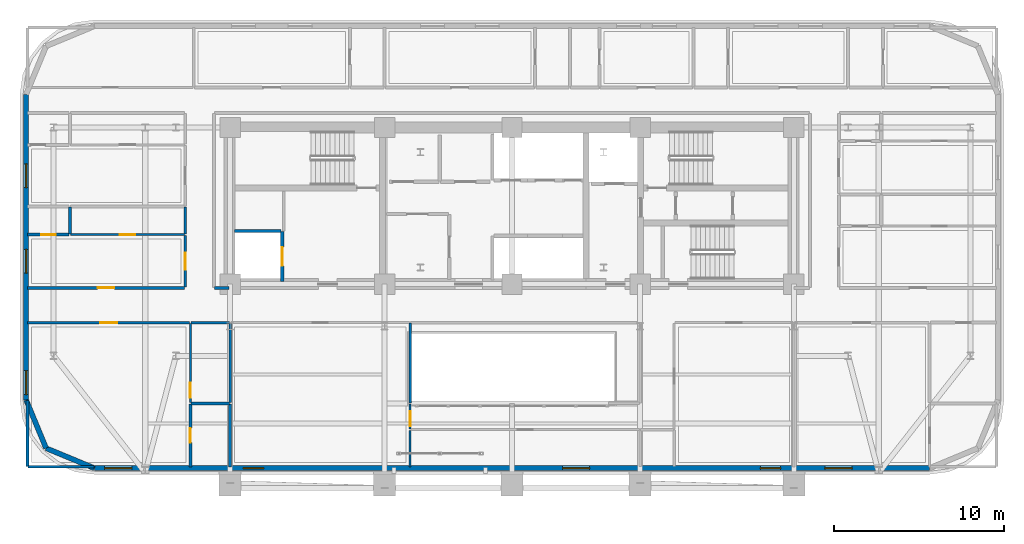
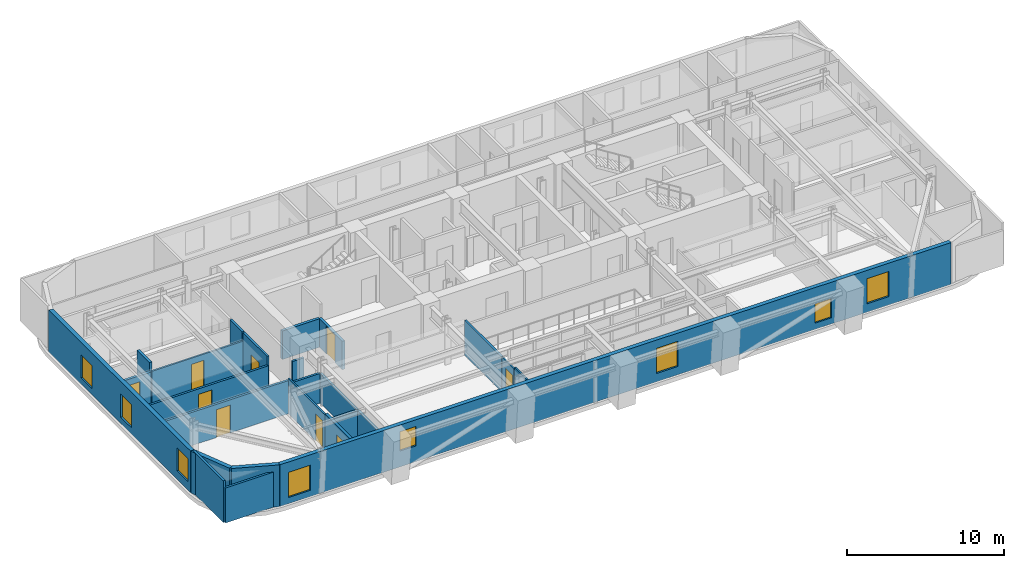
# One storey, part 8 of 15: 25 walls, 9 doors, 8 windows, 17 openings.
"""IFC4 building model written with IfcOpenShell, lengths in metres."""

from ifc_helpers import new_model, si_unit, direction, frame, frame_2d, origin, place, context, subcontext, project, spatial, rectangle, extrude, material, layer, layer_set, type_object, element, fill, save


model = new_model("IFC4")

# Units and contexts
model_context = context("Model", 3, precision=1e-05, world=origin(), true_north=direction((0.0, 1.0)))
body_context = subcontext(model_context, "Body", "Model", "MODEL_VIEW")
ifc_project = project(units=[si_unit("LENGTHUNIT", "METRE"), si_unit("AREAUNIT", "SQUARE_METRE"), si_unit("VOLUMEUNIT", "CUBIC_METRE"), si_unit("PLANEANGLEUNIT", "RADIAN"), si_unit("MASSUNIT", "GRAM", prefix="KILO")], contexts=[model_context])

# Site, building, storey
site_placement = place(None, origin())
site = spatial("IfcSite", under=ifc_project, at=site_placement, CompositionType="ELEMENT")
building_placement = place(site_placement, origin())
building = spatial("IfcBuilding", under=site, at=building_placement, Name="Zarnavel Station Tower", CompositionType="ELEMENT")
storey_placement = place(building_placement, frame((0.0, 0.0, 111.800048828125)))
storey = spatial("IfcBuildingStorey", under=building, at=storey_placement, Name="L30", CompositionType="ELEMENT", Elevation=111.800048828125)

# Wall, openings, windows
ifc_material_1 = material(Name="Precast concrete C45/55 (Dark Basalt Finish)", Category="masonry")
ifc_layer_1 = layer(ifc_material_1, 0.300048828125)
ifc_layer_set_1 = layer_set([ifc_layer_1], Name="EW_BASALT_300")
wall_type_1 = type_object("IfcWallType", Name="EW_BASALT_300", PredefinedType="SOLIDWALL", material=ifc_layer_set_1)
wall_1_placement = place(storey_placement, frame((0.179931640625, 21.0, 0.0), z_axis=(0.0, 0.0, 1.0), x_axis=(0.0, 1.0, 0.0)))
wall_1 = element("IfcWall", 1, at=wall_1_placement, inside=storey, type_object=wall_type_1, Name="L30 Exterior Basalt Masonry Frame Wall 09", PredefinedType="SOLIDWALL", context=body_context, shape_type="SweptSolid", body=[
    extrude(rectangle(XDim=18.0, YDim=0.300048828125, at=frame_2d((9.0, 0.0))), origin(), (0.0, 0.0, 1.0), 3.239990234375),
])
opening_1_placement = place(wall_1_placement, frame((7.470458984375, 0.0, 0.47998046875)))
opening_1 = element("IfcOpeningElement", 2, at=opening_1_placement, cuts=wall_1, Name="Opening WN01", PredefinedType="OPENING", context=body_context, shape_type="SweptSolid", body=[
    extrude(rectangle(XDim=1.39990234375, YDim=1.800048828125, at=frame_2d((0.699951171875, 0.89990234375))), frame((0.0, 0.159912109375, 0.0), z_axis=(0.0, -1.0, 0.0), x_axis=(1.0, 0.0, 0.0)), (0.0, 0.0, 1.0), 0.320068359375),
])
opening_2_placement = place(wall_1_placement, frame((12.509033203125, 0.0, 0.47998046875)))
opening_2 = element("IfcOpeningElement", 3, at=opening_2_placement, cuts=wall_1, Name="Opening WN01", PredefinedType="OPENING", context=body_context, shape_type="SweptSolid", body=[
    extrude(rectangle(XDim=1.39990234375, YDim=1.800048828125, at=frame_2d((0.699951171875, 0.89990234375))), frame((0.0, 0.159912109375, 0.0), z_axis=(0.0, -1.0, 0.0), x_axis=(1.0, 0.0, 0.0)), (0.0, 0.0, 1.0), 0.320068359375),
])
opening_3_placement = place(wall_1_placement, frame((0.320068359375, 0.0, 0.64990234375)))
opening_3 = element("IfcOpeningElement", 4, at=opening_3_placement, cuts=wall_1, Name="Opening WN01", PredefinedType="OPENING", context=body_context, shape_type="SweptSolid", body=[
    extrude(rectangle(XDim=1.39990234375, YDim=1.800048828125, at=frame_2d((0.699951171875, 0.89990234375))), frame((0.0, 0.159912109375, 0.0), z_axis=(0.0, -1.0, 0.0), x_axis=(1.0, 0.0, 0.0)), (0.0, 0.0, 1.0), 0.320068359375),
])
ifc_material_2 = material(Name="Thermally Broken Black Aluminium and Low-E Dark Glass", Category="aluminium")
window_type_1 = type_object("IfcWindowType", Name="WN_1400x1800", PartitioningType="DOUBLE_PANEL_VERTICAL", PredefinedType="WINDOW", material=ifc_material_2)
window_1_placement = place(opening_1_placement, origin())
window_1 = element("IfcWindow", 5, at=window_1_placement, inside=storey, type_object=window_type_1, Name="L30 Recessed Facade Window 01", OverallHeight=1.800048828125, OverallWidth=1.39990234375, PartitioningType="SINGLE_PANEL", PredefinedType="WINDOW", context=body_context, shape_type="SweptSolid", body=[
    extrude(rectangle(XDim=1.39990234375, YDim=1.800048828125, at=frame_2d((0.699951171875, 0.89990234375))), frame((0.0, 0.030029296875, 0.0), z_axis=(0.0, -1.0, 0.0), x_axis=(1.0, 0.0, 0.0)), (0.0, 0.0, 1.0), 0.06005859375),
])
fill(opening_1, window_1)
window_2_placement = place(opening_2_placement, origin())
window_2 = element("IfcWindow", 6, at=window_2_placement, inside=storey, type_object=window_type_1, Name="L30 Recessed Facade Window 02", OverallHeight=1.800048828125, OverallWidth=1.39990234375, PartitioningType="SINGLE_PANEL", PredefinedType="WINDOW", context=body_context, shape_type="SweptSolid", body=[
    extrude(rectangle(XDim=1.39990234375, YDim=1.800048828125, at=frame_2d((0.699951171875, 0.89990234375))), frame((0.0, 0.030029296875, 0.0), z_axis=(0.0, -1.0, 0.0), x_axis=(1.0, 0.0, 0.0)), (0.0, 0.0, 1.0), 0.06005859375),
])
fill(opening_2, window_2)
window_3_placement = place(opening_3_placement, origin())
window_3 = element("IfcWindow", 7, at=window_3_placement, inside=storey, type_object=window_type_1, Name="L30 Recessed Facade Window 03", OverallHeight=1.800048828125, OverallWidth=1.39990234375, PartitioningType="SINGLE_PANEL", PredefinedType="WINDOW", context=body_context, shape_type="SweptSolid", body=[
    extrude(rectangle(XDim=1.39990234375, YDim=1.800048828125, at=frame_2d((0.699951171875, 0.89990234375))), frame((0.0, 0.030029296875, 0.0), z_axis=(0.0, -1.0, 0.0), x_axis=(1.0, 0.0, 0.0)), (0.0, 0.0, 1.0), 0.06005859375),
])
fill(opening_3, window_3)

# Walls
for number, where, z_axis, x_axis, name in (
    (8, (1.357421875, 18.157470703125, 0.0), (0.0, 0.0, 1.0), (-0.382704529509, 0.923870793506, 0.0), "L30 Exterior Basalt Masonry Frame Wall 10"),
    (9, (4.199951171875, 16.97998046875, 0.0), (0.0, 0.0, 1.0), (-0.923870793506, 0.382704529509, 0.0), "L30 Exterior Basalt Masonry Frame Wall 11"),
):
    element("IfcWall", number, at=place(storey_placement, frame(where, z_axis=z_axis, x_axis=x_axis)), inside=storey, type_object=wall_type_1, Name=name, PredefinedType="SOLIDWALL", context=body_context, shape_type="SweptSolid", body=[
        extrude(rectangle(XDim=3.07666015625, YDim=0.300048828125, at=frame_2d((1.538330078125, 0.0))), origin(), (0.0, 0.0, 1.0), 3.239990234375),
    ])

# Wall, openings, windows
wall_2_placement = place(storey_placement, frame((53.39990234375, 16.97998046875, 0.0), z_axis=(0.0, 0.0, 1.0), x_axis=(-1.0, 0.0, 0.0)))
wall_2 = element("IfcWall", 10, at=wall_2_placement, inside=storey, type_object=wall_type_1, Name="L30 Exterior Basalt Masonry Frame Wall 12", PredefinedType="SOLIDWALL", context=body_context, shape_type="SweptSolid", body=[
    extrude(rectangle(XDim=49.199951171875, YDim=0.300048828125, at=frame_2d((24.60009765625, 0.0))), origin(), (0.0, 0.0, 1.0), 3.239990234375),
])
opening_4_placement = place(wall_2_placement, frame((46.990478515625, 0.0, 0.47998046875)))
opening_4 = element("IfcOpeningElement", 11, at=opening_4_placement, cuts=wall_2, Name="Opening WN06", PredefinedType="OPENING", context=body_context, shape_type="SweptSolid", body=[
    extrude(rectangle(XDim=1.60009765625, YDim=1.949951171875, at=frame_2d((0.800048828125, 0.97509765625))), frame((0.0, 0.159912109375, 0.0), z_axis=(0.0, -1.0, 0.0), x_axis=(1.0, 0.0, 0.0)), (0.0, 0.0, 1.0), 0.320068359375),
])
opening_5_placement = place(wall_2_placement, frame((39.227783203125, 0.0, 1.219970703125)))
opening_5 = element("IfcOpeningElement", 12, at=opening_5_placement, cuts=wall_2, Name="Opening WN08", PredefinedType="OPENING", context=body_context, shape_type="SweptSolid", body=[
    extrude(rectangle(XDim=1.199951171875, YDim=1.5, at=frame_2d((0.60009765625, 0.75))), frame((0.0, 0.159912109375, 0.0), z_axis=(0.0, -1.0, 0.0), x_axis=(1.0, 0.0, 0.0)), (0.0, 0.0, 1.0), 0.320068359375),
])
opening_6_placement = place(wall_2_placement, frame((20.02490234375, 0.0, 0.64990234375)))
opening_6 = element("IfcOpeningElement", 13, at=opening_6_placement, cuts=wall_2, Name="Opening WN06", PredefinedType="OPENING", context=body_context, shape_type="SweptSolid", body=[
    extrude(rectangle(XDim=1.60009765625, YDim=1.949951171875, at=frame_2d((0.800048828125, 0.97509765625))), frame((0.0, 0.159912109375, 0.0), z_axis=(0.0, -1.0, 0.0), x_axis=(1.0, 0.0, 0.0)), (0.0, 0.0, 1.0), 0.320068359375),
])
opening_7_placement = place(wall_2_placement, frame((8.772216796875, 0.0, 0.47998046875)))
opening_7 = element("IfcOpeningElement", 14, at=opening_7_placement, cuts=wall_2, Name="Opening WN08", PredefinedType="OPENING", context=body_context, shape_type="SweptSolid", body=[
    extrude(rectangle(XDim=1.199951171875, YDim=1.5, at=frame_2d((0.60009765625, 0.75))), frame((0.0, 0.159912109375, 0.0), z_axis=(0.0, -1.0, 0.0), x_axis=(1.0, 0.0, 0.0)), (0.0, 0.0, 1.0), 0.320068359375),
])
opening_8_placement = place(wall_2_placement, frame((4.564208984375, 0.0, 0.64990234375)))
opening_8 = element("IfcOpeningElement", 15, at=opening_8_placement, cuts=wall_2, Name="Opening WN06", PredefinedType="OPENING", context=body_context, shape_type="SweptSolid", body=[
    extrude(rectangle(XDim=1.60009765625, YDim=1.949951171875, at=frame_2d((0.800048828125, 0.97509765625))), frame((0.0, 0.159912109375, 0.0), z_axis=(0.0, -1.0, 0.0), x_axis=(1.0, 0.0, 0.0)), (0.0, 0.0, 1.0), 0.320068359375),
])
ifc_material_3 = material(Name="Thermally Broken Black Aluminium and Low-E Dark Glass", Category="aluminium")
window_type_2 = type_object("IfcWindowType", Name="WN_1200x1500", PartitioningType="SINGLE_PANEL", PredefinedType="WINDOW", material=ifc_material_3)
window_4_placement = place(opening_5_placement, origin())
window_4 = element("IfcWindow", 16, at=window_4_placement, inside=storey, type_object=window_type_2, Name="L30 Recessed Facade Window 02", OverallHeight=1.5, OverallWidth=1.199951171875, PartitioningType="SINGLE_PANEL", PredefinedType="WINDOW", context=body_context, shape_type="SweptSolid", body=[
    extrude(rectangle(XDim=1.199951171875, YDim=1.5, at=frame_2d((0.60009765625, 0.75))), frame((0.0, 0.030029296875, 0.0), z_axis=(0.0, -1.0, 0.0), x_axis=(1.0, 0.0, 0.0)), (0.0, 0.0, 1.0), 0.06005859375),
])
fill(opening_5, window_4)
window_5_placement = place(opening_7_placement, origin())
window_5 = element("IfcWindow", 17, at=window_5_placement, inside=storey, type_object=window_type_2, Name="L30 Recessed Facade Window 04", OverallHeight=1.5, OverallWidth=1.199951171875, PartitioningType="SINGLE_PANEL", PredefinedType="WINDOW", context=body_context, shape_type="SweptSolid", body=[
    extrude(rectangle(XDim=1.199951171875, YDim=1.5, at=frame_2d((0.60009765625, 0.75))), frame((0.0, 0.030029296875, 0.0), z_axis=(0.0, -1.0, 0.0), x_axis=(1.0, 0.0, 0.0)), (0.0, 0.0, 1.0), 0.06005859375),
])
fill(opening_7, window_5)
ifc_material_4 = material(Name="Thermally Broken Black Aluminium and Low-E Dark Glass", Category="aluminium")
window_type_3 = type_object("IfcWindowType", Name="WN_1600x1950", PartitioningType="DOUBLE_PANEL_VERTICAL", PredefinedType="WINDOW", material=ifc_material_4)
window_6_placement = place(opening_4_placement, origin())
window_6 = element("IfcWindow", 18, at=window_6_placement, inside=storey, type_object=window_type_3, Name="L30 Recessed Facade Window 01", OverallHeight=1.949951171875, OverallWidth=1.60009765625, PartitioningType="SINGLE_PANEL", PredefinedType="WINDOW", context=body_context, shape_type="SweptSolid", body=[
    extrude(rectangle(XDim=1.60009765625, YDim=1.949951171875, at=frame_2d((0.800048828125, 0.97509765625))), frame((0.0, 0.030029296875, 0.0), z_axis=(0.0, -1.0, 0.0), x_axis=(1.0, 0.0, 0.0)), (0.0, 0.0, 1.0), 0.06005859375),
])
fill(opening_4, window_6)
window_7_placement = place(opening_6_placement, origin())
window_7 = element("IfcWindow", 19, at=window_7_placement, inside=storey, type_object=window_type_3, Name="L30 Recessed Facade Window 03", OverallHeight=1.949951171875, OverallWidth=1.60009765625, PartitioningType="SINGLE_PANEL", PredefinedType="WINDOW", context=body_context, shape_type="SweptSolid", body=[
    extrude(rectangle(XDim=1.60009765625, YDim=1.949951171875, at=frame_2d((0.800048828125, 0.97509765625))), frame((0.0, 0.030029296875, 0.0), z_axis=(0.0, -1.0, 0.0), x_axis=(1.0, 0.0, 0.0)), (0.0, 0.0, 1.0), 0.06005859375),
])
fill(opening_6, window_7)
window_8_placement = place(opening_8_placement, origin())
window_8 = element("IfcWindow", 20, at=window_8_placement, inside=storey, type_object=window_type_3, Name="L30 Recessed Facade Window 05", OverallHeight=1.949951171875, OverallWidth=1.60009765625, PartitioningType="SINGLE_PANEL", PredefinedType="WINDOW", context=body_context, shape_type="SweptSolid", body=[
    extrude(rectangle(XDim=1.60009765625, YDim=1.949951171875, at=frame_2d((0.800048828125, 0.97509765625))), frame((0.0, 0.030029296875, 0.0), z_axis=(0.0, -1.0, 0.0), x_axis=(1.0, 0.0, 0.0)), (0.0, 0.0, 1.0), 0.06005859375),
])
fill(opening_8, window_8)

# Wall, opening, door
ifc_material_5 = material(Name="Gypsum Twin-Stud Acoustic Fire Partition", Category="concrete")
ifc_layer_2 = layer(ifc_material_5, 0.159912109375)
ifc_layer_set_2 = layer_set([ifc_layer_2], Name="PT_DEMISE_160")
wall_type_2 = type_object("IfcWallType", Name="PT_DEMISE_160", PredefinedType="PARTITIONING", material=ifc_layer_set_2)
wall_3_placement = place(storey_placement, frame((0.260009765625, 27.60009765625, 0.0), z_axis=(0.0, 0.0, 1.0), x_axis=(1.0, 0.0, 0.0)))
wall_3 = element("IfcWall", 21, at=wall_3_placement, inside=storey, type_object=wall_type_2, Name="L30 Partition COR-S-FNW1R", PredefinedType="PARTITIONING", context=body_context, shape_type="SweptSolid", body=[
    extrude(rectangle(XDim=9.25, YDim=0.159912109375, at=frame_2d((4.625, 0.0))), origin(), (0.0, 0.0, 1.0), 2.570068359375),
])
opening_9_placement = place(wall_3_placement, frame((4.125, 0.0, 0.0)))
opening_9 = element("IfcOpeningElement", 22, at=opening_9_placement, cuts=wall_3, Name="Opening FD02", PredefinedType="OPENING", context=body_context, shape_type="SweptSolid", body=[
    extrude(rectangle(XDim=1.0, YDim=2.14990234375, at=frame_2d((0.5, 1.074951171875))), frame((0.0, 0.08984375, 0.0), z_axis=(0.0, -1.0, 0.0), x_axis=(1.0, 0.0, 0.0)), (0.0, 0.0, 1.0), 0.179931640625),
])
ifc_material_6 = material(Name="Painted Galvanised Steel and Hardwood Leaf", Category="steel")
door_type_1 = type_object("IfcDoorType", Name="ID_ENTRY_1000", OperationType="NOTDEFINED", PredefinedType="DOOR", material=ifc_material_6)
door_1_placement = place(opening_9_placement, origin())
door_1 = element("IfcDoor", 23, at=door_1_placement, inside=storey, type_object=door_type_1, Name="L30 Door COR-S-FNW1R", OperationType="SINGLE_SWING_LEFT", OverallHeight=2.14990234375, OverallWidth=1.0, PredefinedType="DOOR", context=body_context, shape_type="SweptSolid", body=[
    extrude(rectangle(XDim=1.0, YDim=2.14990234375, at=frame_2d((0.5, 1.074951171875))), frame((0.0, 0.02490234375, 0.0), z_axis=(0.0, -1.0, 0.0), x_axis=(1.0, 0.0, 0.0)), (0.0, 0.0, 1.0), 0.050048828125),
])
fill(opening_9, door_1)

wall_4_placement = place(storey_placement, frame((0.260009765625, 25.550048828125, 0.0), z_axis=(0.0, 0.0, 1.0), x_axis=(1.0, 0.0, 0.0)))
wall_4 = element("IfcWall", 24, at=wall_4_placement, inside=storey, type_object=wall_type_2, Name="L30 Partition COR-S-HW1R", PredefinedType="PARTITIONING", context=body_context, shape_type="SweptSolid", body=[
    extrude(rectangle(XDim=9.550048828125, YDim=0.159912109375, at=frame_2d((4.77490234375, 0.0))), origin(), (0.0, 0.0, 1.0), 2.570068359375),
])
opening_10_placement = place(wall_4_placement, frame((4.27490234375, 0.0, 0.0)))
opening_10 = element("IfcOpeningElement", 25, at=opening_10_placement, cuts=wall_4, Name="Opening FD02", PredefinedType="OPENING", context=body_context, shape_type="SweptSolid", body=[
    extrude(rectangle(XDim=1.0, YDim=2.14990234375, at=frame_2d((0.5, 1.074951171875))), frame((0.0, 0.08984375, 0.0), z_axis=(0.0, -1.0, 0.0), x_axis=(1.0, 0.0, 0.0)), (0.0, 0.0, 1.0), 0.179931640625),
])
door_2_placement = place(opening_10_placement, origin())
door_2 = element("IfcDoor", 26, at=door_2_placement, inside=storey, type_object=door_type_1, Name="L30 Door COR-S-HW1R", OperationType="SINGLE_SWING_LEFT", OverallHeight=2.14990234375, OverallWidth=1.0, PredefinedType="DOOR", context=body_context, shape_type="SweptSolid", body=[
    extrude(rectangle(XDim=1.0, YDim=2.14990234375, at=frame_2d((0.5, 1.074951171875))), frame((0.0, 0.02490234375, 0.0), z_axis=(0.0, -1.0, 0.0), x_axis=(1.0, 0.0, 0.0)), (0.0, 0.0, 1.0), 0.050048828125),
])
fill(opening_10, door_2)

# Wall
wall_5_placement = place(storey_placement, frame((9.889892578125, 25.550048828125, 0.0), z_axis=(0.0, 0.0, 1.0), x_axis=(1.0, 0.0, 0.0)))
element("IfcWall", 27, at=wall_5_placement, inside=storey, type_object=wall_type_2, Name="L30 Partition COR-S-HW1S", PredefinedType="PARTITIONING", context=body_context, shape_type="SweptSolid", body=[
    extrude(rectangle(XDim=2.27001953125, YDim=0.159912109375, at=frame_2d((1.135009765625, 0.0))), origin(), (0.0, 0.0, 1.0), 2.31005859375),
])

# Wall, opening, door
wall_6_placement = place(storey_placement, frame((9.550048828125, 27.639892578125, 0.0), z_axis=(0.0, 0.0, 1.0), x_axis=(0.0, 1.0, 0.0)))
wall_6 = element("IfcWall", 28, at=wall_6_placement, inside=storey, type_object=wall_type_2, Name="L30 Partition COR-W-FNW1R", PredefinedType="PARTITIONING", context=body_context, shape_type="SweptSolid", body=[
    extrude(rectangle(XDim=3.06103515625, YDim=0.159912109375, at=frame_2d((1.530517578125, 0.0))), origin(), (0.0, 0.0, 1.0), 3.239990234375),
])
opening_11_placement = place(wall_6_placement, frame((1.030517578125, 0.0, 0.0)))
opening_11 = element("IfcOpeningElement", 29, at=opening_11_placement, cuts=wall_6, Name="Opening FD02", PredefinedType="OPENING", context=body_context, shape_type="SweptSolid", body=[
    extrude(rectangle(XDim=1.0, YDim=2.14990234375, at=frame_2d((0.5, 1.074951171875))), frame((0.0, 0.08984375, 0.0), z_axis=(0.0, -1.0, 0.0), x_axis=(1.0, 0.0, 0.0)), (0.0, 0.0, 1.0), 0.179931640625),
])
door_3_placement = place(opening_11_placement, origin())
door_3 = element("IfcDoor", 30, at=door_3_placement, inside=storey, type_object=door_type_1, Name="L30 Door COR-W-FNW1R", OperationType="SINGLE_SWING_RIGHT", OverallHeight=2.14990234375, OverallWidth=1.0, PredefinedType="DOOR", context=body_context, shape_type="SweptSolid", body=[
    extrude(rectangle(XDim=1.0, YDim=2.14990234375, at=frame_2d((0.5, 1.074951171875))), frame((0.0, 0.02490234375, 0.0), z_axis=(0.0, -1.0, 0.0), x_axis=(1.0, 0.0, 0.0)), (0.0, 0.0, 1.0), 0.050048828125),
])
fill(opening_11, door_3)

# Walls
wall_7_placement = place(storey_placement, frame((9.550048828125, 30.781005859375, 0.0), z_axis=(0.0, 0.0, 1.0), x_axis=(0.0, 1.0, 0.0)))
element("IfcWall", 31, at=wall_7_placement, inside=storey, type_object=wall_type_2, Name="L30 Partition COR-W-FNW1S", PredefinedType="PARTITIONING", context=body_context, shape_type="SweptSolid", body=[
    extrude(rectangle(XDim=1.570068359375, YDim=0.159912109375, at=frame_2d((0.78515625, 0.0))), origin(), (0.0, 0.0, 1.0), 3.239990234375),
])
wall_8_placement = place(storey_placement, frame((12.199951171875, 20.8359375, 0.0), z_axis=(0.0, 0.0, 1.0), x_axis=(0.0, 1.0, 0.0)))
element("IfcWall", 32, at=wall_8_placement, inside=storey, type_object=wall_type_2, Name="L30 Partition HW1S-L29STD", PredefinedType="PARTITIONING", context=body_context, shape_type="SweptSolid", body=[
    extrude(rectangle(XDim=4.674072265625, YDim=0.159912109375, at=frame_2d((2.3369140625, 0.0))), origin(), (0.0, 0.0, 1.0), 2.31005859375),
])
wall_9_placement = place(storey_placement, frame((11.280029296875, 27.60009765625, 0.0), z_axis=(0.0, 0.0, 1.0), x_axis=(1.0, 0.0, 0.0)))
element("IfcWall", 33, at=wall_9_placement, inside=storey, type_object=wall_type_2, Name="L30 Enclosure Wall COR-S", PredefinedType="PARTITIONING", context=body_context, shape_type="SweptSolid", body=[
    extrude(rectangle(XDim=0.840087890625, YDim=0.159912109375, at=frame_2d((0.419921875, 0.0))), origin(), (0.0, 0.0, 1.0), 2.280029296875),
])
wall_10_placement = place(storey_placement, frame((0.2900390625, 17.06005859375, 0.0), z_axis=(0.0, 0.0, 1.0), x_axis=(1.0, 0.0, 0.0)))
element("IfcWall", 34, at=wall_10_placement, inside=storey, type_object=wall_type_2, Name="L30 Enclosure Wall HW1R", PredefinedType="PARTITIONING", context=body_context, shape_type="SweptSolid", body=[
    extrude(rectangle(XDim=3.8798828125, YDim=0.159912109375, at=frame_2d((1.93994140625, 0.0))), origin(), (0.0, 0.0, 1.0), 2.719970703125),
])
wall_11_placement = place(storey_placement, frame((0.260009765625, 17.090087890625, 0.0), z_axis=(0.0, 0.0, 1.0), x_axis=(0.0, 1.0, 0.0)))
element("IfcWall", 35, at=wall_11_placement, inside=storey, type_object=wall_type_2, Name="L30 Enclosure Wall HW1R", PredefinedType="PARTITIONING", context=body_context, shape_type="SweptSolid", body=[
    extrude(rectangle(XDim=3.8798828125, YDim=0.159912109375, at=frame_2d((1.93994140625, 0.0))), origin(), (0.0, 0.0, 1.0), 3.239990234375),
])
wall_12_placement = place(storey_placement, frame((22.800048828125, 20.830078125, 0.0), z_axis=(0.0, 0.0, 1.0), x_axis=(0.0, 1.0, 0.0)))
element("IfcWall", 36, at=wall_12_placement, inside=storey, type_object=wall_type_2, Name="L30 Enclosure Wall L29STD", PredefinedType="PARTITIONING", context=body_context, shape_type="SweptSolid", body=[
    extrude(rectangle(XDim=4.68994140625, YDim=0.159912109375, at=frame_2d((2.344970703125, 0.0))), origin(), (0.0, 0.0, 1.0), 2.679931640625),
])

# Wall, opening, door
ifc_material_7 = material(Name="Gypsum Metal-Stud Interior Partition", Category="concrete")
ifc_layer_3 = layer(ifc_material_7, 0.1201171875)
ifc_layer_set_3 = layer_set([ifc_layer_3], Name="PT_ROOM_120")
wall_type_3 = type_object("IfcWallType", Name="PT_ROOM_120", PredefinedType="PARTITIONING", material=ifc_layer_set_3)
wall_13_placement = place(storey_placement, frame((22.800048828125, 19.2900390625, 0.0), z_axis=(0.0, 0.0, 1.0), x_axis=(0.0, 1.0, 0.0)))
wall_13 = element("IfcWall", 37, at=wall_13_placement, inside=storey, type_object=wall_type_3, Name="L30 Partition COR-AS-L29STD", PredefinedType="PARTITIONING", context=body_context, shape_type="SweptSolid", body=[
    extrude(rectangle(XDim=1.469970703125, YDim=0.1201171875, at=frame_2d((0.73486328125, 0.0))), origin(), (0.0, 0.0, 1.0), 2.679931640625),
])
opening_12_placement = place(wall_13_placement, frame((0.152099609375, 0.0, 0.0)))
opening_12 = element("IfcOpeningElement", 38, at=opening_12_placement, cuts=wall_13, Name="Opening ID01", PredefinedType="OPENING", context=body_context, shape_type="SweptSolid", body=[
    extrude(rectangle(XDim=0.89990234375, YDim=2.10009765625, at=frame_2d((0.449951171875, 1.050048828125))), frame((0.0, 0.070068359375, 0.0), z_axis=(0.0, -1.0, 0.0), x_axis=(1.0, 0.0, 0.0)), (0.0, 0.0, 1.0), 0.14013671875),
])
ifc_material_8 = material(Name="Painted Galvanised Steel and Hardwood Leaf", Category="steel")
door_type_2 = type_object("IfcDoorType", Name="ID_ROOM_900", OperationType="NOTDEFINED", PredefinedType="DOOR", material=ifc_material_8)
door_4_placement = place(opening_12_placement, origin())
door_4 = element("IfcDoor", 39, at=door_4_placement, inside=storey, type_object=door_type_2, Name="L30 Door COR-AS-L29STD", OperationType="SINGLE_SWING_LEFT", OverallHeight=2.10009765625, OverallWidth=0.89990234375, PredefinedType="DOOR", context=body_context, shape_type="SweptSolid", body=[
    extrude(rectangle(XDim=0.89990234375, YDim=2.10009765625, at=frame_2d((0.449951171875, 1.050048828125))), frame((0.0, 0.02490234375, 0.0), z_axis=(0.0, -1.0, 0.0), x_axis=(1.0, 0.0, 0.0)), (0.0, 0.0, 1.0), 0.050048828125),
])
fill(opening_12, door_4)

wall_14_placement = place(storey_placement, frame((2.800048828125, 30.740966796875, 0.0), z_axis=(0.0, 0.0, 1.0), x_axis=(1.0, 0.0, 0.0)))
wall_14 = element("IfcWall", 40, at=wall_14_placement, inside=storey, type_object=wall_type_3, Name="L30 Partition FNW1R-FNW1S", PredefinedType="PARTITIONING", context=body_context, shape_type="SweptSolid", body=[
    extrude(rectangle(XDim=6.7099609375, YDim=0.1201171875, at=frame_2d((3.35498046875, 0.0))), origin(), (0.0, 0.0, 1.0), 2.570068359375),
])
opening_13_placement = place(wall_14_placement, frame((2.905029296875, 0.0, 0.0)))
opening_13 = element("IfcOpeningElement", 41, at=opening_13_placement, cuts=wall_14, Name="Opening ID01", PredefinedType="OPENING", context=body_context, shape_type="SweptSolid", body=[
    extrude(rectangle(XDim=0.89990234375, YDim=2.10009765625, at=frame_2d((0.449951171875, 1.050048828125))), frame((0.0, 0.070068359375, 0.0), z_axis=(0.0, -1.0, 0.0), x_axis=(1.0, 0.0, 0.0)), (0.0, 0.0, 1.0), 0.14013671875),
])
door_5_placement = place(opening_13_placement, origin())
door_5 = element("IfcDoor", 42, at=door_5_placement, inside=storey, type_object=door_type_2, Name="L30 Door FNW1R-FNW1S", OperationType="SINGLE_SWING_RIGHT", OverallHeight=2.10009765625, OverallWidth=0.89990234375, PredefinedType="DOOR", context=body_context, shape_type="SweptSolid", body=[
    extrude(rectangle(XDim=0.89990234375, YDim=2.10009765625, at=frame_2d((0.449951171875, 1.050048828125))), frame((0.0, 0.02490234375, 0.0), z_axis=(0.0, -1.0, 0.0), x_axis=(1.0, 0.0, 0.0)), (0.0, 0.0, 1.0), 0.050048828125),
])
fill(opening_13, door_5)

wall_15_placement = place(storey_placement, frame((9.85009765625, 20.8359375, 0.0), z_axis=(0.0, 0.0, 1.0), x_axis=(0.0, 1.0, 0.0)))
wall_15 = element("IfcWall", 43, at=wall_15_placement, inside=storey, type_object=wall_type_3, Name="L30 Partition HW1R-HW1S", PredefinedType="PARTITIONING", context=body_context, shape_type="SweptSolid", body=[
    extrude(rectangle(XDim=4.674072265625, YDim=0.1201171875, at=frame_2d((2.3369140625, 0.0))), origin(), (0.0, 0.0, 1.0), 2.719970703125),
])
opening_14_placement = place(wall_15_placement, frame((0.28564453125, 0.0, 0.0)))
opening_14 = element("IfcOpeningElement", 44, at=opening_14_placement, cuts=wall_15, Name="Opening ID01", PredefinedType="OPENING", context=body_context, shape_type="SweptSolid", body=[
    extrude(rectangle(XDim=0.89990234375, YDim=2.10009765625, at=frame_2d((0.449951171875, 1.050048828125))), frame((0.0, 0.070068359375, 0.0), z_axis=(0.0, -1.0, 0.0), x_axis=(1.0, 0.0, 0.0)), (0.0, 0.0, 1.0), 0.14013671875),
])
door_6_placement = place(opening_14_placement, origin())
door_6 = element("IfcDoor", 45, at=door_6_placement, inside=storey, type_object=door_type_2, Name="L30 Door HW1R-HW1S", OperationType="SINGLE_SWING_LEFT", OverallHeight=2.10009765625, OverallWidth=0.89990234375, PredefinedType="DOOR", context=body_context, shape_type="SweptSolid", body=[
    extrude(rectangle(XDim=0.89990234375, YDim=2.10009765625, at=frame_2d((0.449951171875, 1.050048828125))), frame((0.0, 0.02490234375, 0.0), z_axis=(0.0, -1.0, 0.0), x_axis=(1.0, 0.0, 0.0)), (0.0, 0.0, 1.0), 0.050048828125),
])
fill(opening_14, door_6)

# Wall
wall_16_placement = place(storey_placement, frame((22.800048828125, 17.06005859375, 0.0), z_axis=(0.0, 0.0, 1.0), x_axis=(0.0, 1.0, 0.0)))
element("IfcWall", 46, at=wall_16_placement, inside=storey, type_object=wall_type_3, Name="L30 Partition L29STD-L29GYM", PredefinedType="PARTITIONING", context=body_context, shape_type="SweptSolid", body=[
    extrude(rectangle(XDim=2.14990234375, YDim=0.1201171875, at=frame_2d((1.074951171875, 0.0))), origin(), (0.0, 0.0, 1.0), 2.85986328125),
])

# Wall, opening, door
ifc_material_9 = material(Name="Precast concrete C45/55 (Fire Shaft Blockwork)", Category="masonry")
ifc_layer_4 = layer(ifc_material_9, 0.199951171875)
ifc_layer_set_4 = layer_set([ifc_layer_4], Name="PT_SHAFT_200")
wall_type_4 = type_object("IfcWallType", Name="PT_SHAFT_200", PredefinedType="PARTITIONING", material=ifc_layer_set_4)
wall_17_placement = place(storey_placement, frame((15.27001953125, 27.969970703125, 0.0), z_axis=(0.0, 0.0, 1.0), x_axis=(0.0, 1.0, 0.0)))
wall_17 = element("IfcWall", 47, at=wall_17_placement, inside=storey, type_object=wall_type_4, Name="L30 Lift FFL-01 Shaft Front Wall", PredefinedType="PARTITIONING", context=body_context, shape_type="SweptSolid", body=[
    extrude(rectangle(XDim=2.9599609375, YDim=0.199951171875, at=frame_2d((1.47998046875, 0.0))), origin(), (0.0, 0.0, 1.0), 2.2119140625),
])
opening_15_placement = place(wall_17_placement, frame((0.929931640625, 0.0, 0.0)))
opening_15 = element("IfcOpeningElement", 48, at=opening_15_placement, cuts=wall_17, Name="Opening LD01", PredefinedType="OPENING", context=body_context, shape_type="SweptSolid", body=[
    extrude(rectangle(XDim=1.10009765625, YDim=2.14990234375, at=frame_2d((0.550048828125, 1.074951171875))), frame((0.0, 0.10986328125, 0.0), z_axis=(0.0, -1.0, 0.0), x_axis=(1.0, 0.0, 0.0)), (0.0, 0.0, 1.0), 0.219970703125),
])
ifc_material_10 = material(Name="Painted Galvanised Steel and Hardwood Leaf", Category="steel")
door_type_3 = type_object("IfcDoorType", Name="LD_FF_1100", OperationType="DOUBLE_DOOR_SLIDING", PredefinedType="DOOR", material=ifc_material_10)
door_7_placement = place(opening_15_placement, origin())
door_7 = element("IfcDoor", 49, at=door_7_placement, inside=storey, type_object=door_type_3, Name="L30 Lift FFL-01 Sliding Landing Door", OperationType="DOUBLE_DOOR_SLIDING", OverallHeight=2.14990234375, OverallWidth=1.10009765625, PredefinedType="DOOR", context=body_context, shape_type="SweptSolid", body=[
    extrude(rectangle(XDim=1.10009765625, YDim=2.14990234375, at=frame_2d((0.550048828125, 1.074951171875))), frame((0.0, 0.02490234375, 0.0), z_axis=(0.0, -1.0, 0.0), x_axis=(1.0, 0.0, 0.0)), (0.0, 0.0, 1.0), 0.050048828125),
])
fill(opening_15, door_7)

# Wall
wall_18_placement = place(storey_placement, frame((12.449951171875, 30.949951171875, 0.0), z_axis=(0.0, 0.0, 1.0), x_axis=(1.0, 0.0, 0.0)))
element("IfcWall", 50, at=wall_18_placement, inside=storey, type_object=wall_type_4, Name="L30 Lift FFL-01 North Shaft Wall", PredefinedType="PARTITIONING", context=body_context, shape_type="SweptSolid", body=[
    extrude(rectangle(XDim=2.75, YDim=0.199951171875, at=frame_2d((1.375, 0.0))), origin(), (0.0, 0.0, 1.0), 2.2119140625),
])

# Wall, opening, door
ifc_material_11 = material(Name="Moisture-Resistant Plumbing Chase Wall", Category="concrete")
ifc_layer_5 = layer(ifc_material_11, 0.179931640625)
ifc_layer_set_5 = layer_set([ifc_layer_5], Name="PW_PLUMB_180")
wall_type_5 = type_object("IfcWallType", Name="PW_PLUMB_180", PredefinedType="PLUMBINGWALL", material=ifc_layer_set_5)
wall_19_placement = place(storey_placement, frame((0.260009765625, 30.740966796875, 0.0), z_axis=(0.0, 0.0, 1.0), x_axis=(1.0, 0.0, 0.0)))
wall_19 = element("IfcWall", 51, at=wall_19_placement, inside=storey, type_object=wall_type_5, Name="L30 Partition FNW1R-FNW1B", PredefinedType="PLUMBINGWALL", context=body_context, shape_type="SweptSolid", body=[
    extrude(rectangle(XDim=2.4599609375, YDim=0.179931640625, at=frame_2d((1.22998046875, 0.0))), origin(), (0.0, 0.0, 1.0), 2.570068359375),
])
opening_16_placement = place(wall_19_placement, frame((0.804931640625, 0.0, 0.0)))
opening_16 = element("IfcOpeningElement", 52, at=opening_16_placement, cuts=wall_19, Name="Opening ID02", PredefinedType="OPENING", context=body_context, shape_type="SweptSolid", body=[
    extrude(rectangle(XDim=0.85009765625, YDim=2.10009765625, at=frame_2d((0.425048828125, 1.050048828125))), frame((0.0, 0.099853515625, 0.0), z_axis=(0.0, -1.0, 0.0), x_axis=(1.0, 0.0, 0.0)), (0.0, 0.0, 1.0), 0.199951171875),
])
ifc_material_12 = material(Name="Painted Galvanised Steel and Hardwood Leaf", Category="steel")
door_type_4 = type_object("IfcDoorType", Name="ID_BATH_850", OperationType="NOTDEFINED", PredefinedType="DOOR", material=ifc_material_12)
door_8_placement = place(opening_16_placement, origin())
door_8 = element("IfcDoor", 53, at=door_8_placement, inside=storey, type_object=door_type_4, Name="L30 Door FNW1R-FNW1B", OperationType="SINGLE_SWING_LEFT", OverallHeight=2.10009765625, OverallWidth=0.85009765625, PredefinedType="DOOR", context=body_context, shape_type="SweptSolid", body=[
    extrude(rectangle(XDim=0.85009765625, YDim=2.10009765625, at=frame_2d((0.425048828125, 1.050048828125))), frame((0.0, 0.02490234375, 0.0), z_axis=(0.0, -1.0, 0.0), x_axis=(1.0, 0.0, 0.0)), (0.0, 0.0, 1.0), 0.050048828125),
])
fill(opening_16, door_8)

# Wall
wall_20_placement = place(storey_placement, frame((2.760009765625, 30.781005859375, 0.0), z_axis=(0.0, 0.0, 1.0), x_axis=(0.0, 1.0, 0.0)))
element("IfcWall", 54, at=wall_20_placement, inside=storey, type_object=wall_type_5, Name="L30 Partition FNW1B-FNW1S", PredefinedType="PLUMBINGWALL", context=body_context, shape_type="SweptSolid", body=[
    extrude(rectangle(XDim=1.570068359375, YDim=0.179931640625, at=frame_2d((0.78515625, 0.0))), origin(), (0.0, 0.0, 1.0), 3.239990234375),
])

# Wall, opening, door
wall_21_placement = place(storey_placement, frame((9.85009765625, 17.06005859375, 0.0), z_axis=(0.0, 0.0, 1.0), x_axis=(0.0, 1.0, 0.0)))
wall_21 = element("IfcWall", 55, at=wall_21_placement, inside=storey, type_object=wall_type_5, Name="L30 Partition HW1R-HW1B", PredefinedType="PLUMBINGWALL", context=body_context, shape_type="SweptSolid", body=[
    extrude(rectangle(XDim=3.696044921875, YDim=0.179931640625, at=frame_2d((1.84814453125, 0.0))), origin(), (0.0, 0.0, 1.0), 2.85986328125),
])
opening_17_placement = place(wall_21_placement, frame((1.423095703125, 0.0, 0.0)))
opening_17 = element("IfcOpeningElement", 56, at=opening_17_placement, cuts=wall_21, Name="Opening ID02", PredefinedType="OPENING", context=body_context, shape_type="SweptSolid", body=[
    extrude(rectangle(XDim=0.85009765625, YDim=2.10009765625, at=frame_2d((0.425048828125, 1.050048828125))), frame((0.0, 0.099853515625, 0.0), z_axis=(0.0, -1.0, 0.0), x_axis=(1.0, 0.0, 0.0)), (0.0, 0.0, 1.0), 0.199951171875),
])
door_9_placement = place(opening_17_placement, origin())
door_9 = element("IfcDoor", 57, at=door_9_placement, inside=storey, type_object=door_type_4, Name="L30 Door HW1R-HW1B", OperationType="SINGLE_SWING_RIGHT", OverallHeight=2.10009765625, OverallWidth=0.85009765625, PredefinedType="DOOR", context=body_context, shape_type="SweptSolid", body=[
    extrude(rectangle(XDim=0.85009765625, YDim=2.10009765625, at=frame_2d((0.425048828125, 1.050048828125))), frame((0.0, 0.02490234375, 0.0), z_axis=(0.0, -1.0, 0.0), x_axis=(1.0, 0.0, 0.0)), (0.0, 0.0, 1.0), 0.050048828125),
])
fill(opening_17, door_9)

# Walls
wall_22_placement = place(storey_placement, frame((9.889892578125, 20.7958984375, 0.0), z_axis=(0.0, 0.0, 1.0), x_axis=(1.0, 0.0, 0.0)))
element("IfcWall", 58, at=wall_22_placement, inside=storey, type_object=wall_type_5, Name="L30 Partition HW1B-HW1S", PredefinedType="PLUMBINGWALL", context=body_context, shape_type="SweptSolid", body=[
    extrude(rectangle(XDim=2.27001953125, YDim=0.179931640625, at=frame_2d((1.135009765625, 0.0))), origin(), (0.0, 0.0, 1.0), 2.31005859375),
])
wall_23_placement = place(storey_placement, frame((12.199951171875, 17.06005859375, 0.0), z_axis=(0.0, 0.0, 1.0), x_axis=(0.0, 1.0, 0.0)))
element("IfcWall", 59, at=wall_23_placement, inside=storey, type_object=wall_type_5, Name="L30 Partition HW1B-L29STD", PredefinedType="PLUMBINGWALL", context=body_context, shape_type="SweptSolid", body=[
    extrude(rectangle(XDim=3.696044921875, YDim=0.179931640625, at=frame_2d((1.84814453125, 0.0))), origin(), (0.0, 0.0, 1.0), 2.31005859375),
])

save(model, "model.ifc")
